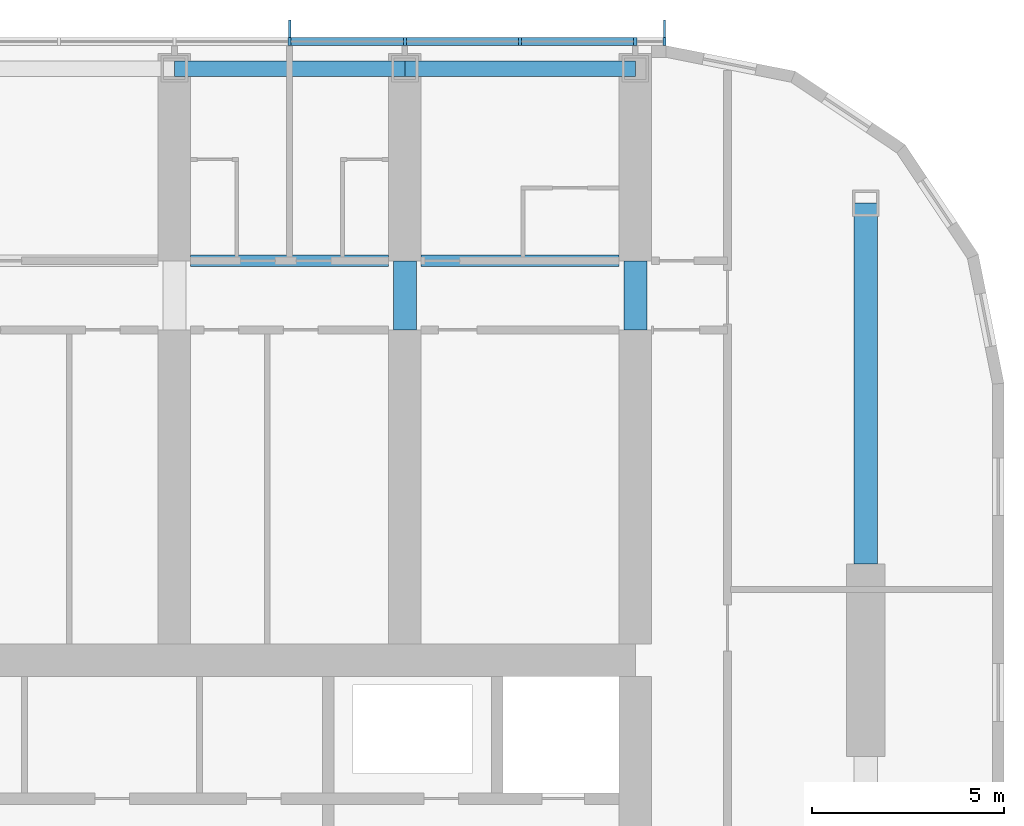
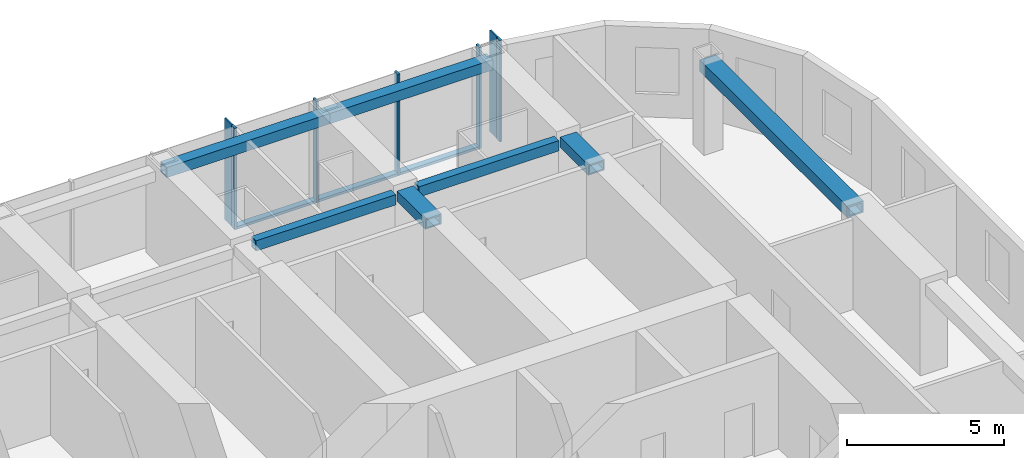
# One storey, part 7 of 28: 10 members, 7 beams, 1 element without a shape of its own.
"""IFC4 building model written with IfcOpenShell, lengths in metres."""

from ifc_helpers import new_model, si_unit, direction, frame, origin, origin_2d, place, context, subcontext, project, spatial, rectangle, hollow_rectangle, extrude, material, material_profile, profile_set, type_object, element, aggregate, save


model = new_model("IFC4")

# Units and contexts
model_context = context("Model", 3, precision=1e-05, world=origin(), true_north=direction((0.0, 1.0)))
body_context = subcontext(model_context, "Body", "Model", "MODEL_VIEW")
ifc_project = project(units=[si_unit("LENGTHUNIT", "METRE"), si_unit("AREAUNIT", "SQUARE_METRE"), si_unit("VOLUMEUNIT", "CUBIC_METRE"), si_unit("PLANEANGLEUNIT", "RADIAN"), si_unit("MASSUNIT", "GRAM", prefix="KILO")], contexts=[model_context])

# Site, building, storey
site_placement = place(None, origin())
site = spatial("IfcSite", under=ifc_project, at=site_placement, CompositionType="ELEMENT")
building_placement = place(site_placement, origin())
building = spatial("IfcBuilding", under=site, at=building_placement, Name="Orbita Commons", CompositionType="ELEMENT")
storey_placement = place(building_placement, frame((0.0, 0.0, 193.60009765625)))
storey = spatial("IfcBuildingStorey", under=building, at=storey_placement, Name="L48", CompositionType="ELEMENT", Elevation=193.60009765625)

# Curtain wall, members
ifc_material_1 = material(Name="Anodised aluminium frame, pale silver", Category="aluminium")
curtain_wall_type = type_object("IfcCurtainWallType", Name="Unitised curtain wall CW-U, full-height vision", PredefinedType="NOTDEFINED", material=ifc_material_1)
curtain_wall_placement = place(storey_placement, origin())
curtain_wall = element("IfcCurtainWall", 1, at=curtain_wall_placement, inside=storey, type_object=curtain_wall_type, Name="Curtain wall north L48", PredefinedType="NOTDEFINED")
ifc_material_2 = material(Name="Anodised aluminium, pale silver", Category="aluminium")
ifc_material_profile_1 = material_profile(ifc_material_2, rectangle(XDim=0.080078125, YDim=0.219970703125, at=origin_2d()), Name="AL 80x220")
ifc_profile_set_1 = profile_set([ifc_material_profile_1], Name="Anodised aluminium, pale silver")
member_type_1 = type_object("IfcMemberType", Name="Curtain wall mullion 80x220", PredefinedType="MULLION", material=ifc_profile_set_1)
member_1_placement = place(storey_placement, frame((66.760009765625, 54.31005859375, -0.4501953125), z_axis=(0.0, 0.0, 1.0), x_axis=(-1.0, 0.0, 0.0)))
member_1 = element("IfcMember", 2, at=member_1_placement, type_object=member_type_1, Name="Mullion 1 CW-L48-N", PredefinedType="MULLION", context=body_context, shape_type="SweptSolid", body=[
    extrude(rectangle(XDim=0.080078125, YDim=0.219970703125, at=origin_2d()), origin(), (0.0, 0.0, 1.0), 3.9501953125),
])
member_2_placement = place(storey_placement, frame((66.0, 54.31005859375, -0.4501953125), z_axis=(0.0, 0.0, 1.0), x_axis=(-1.0, 0.0, 0.0)))
member_2 = element("IfcMember", 3, at=member_2_placement, type_object=member_type_1, Name="Mullion 2 CW-L48-N", PredefinedType="MULLION", context=body_context, shape_type="SweptSolid", body=[
    extrude(rectangle(XDim=0.080078125, YDim=0.219970703125, at=origin_2d()), origin(), (0.0, 0.0, 1.0), 3.9501953125),
])
member_3_placement = place(storey_placement, frame((63.0, 54.31005859375, -0.4501953125), z_axis=(0.0, 0.0, 1.0), x_axis=(-1.0, 0.0, 0.0)))
member_3 = element("IfcMember", 4, at=member_3_placement, type_object=member_type_1, Name="Mullion 3 CW-L48-N", PredefinedType="MULLION", context=body_context, shape_type="SweptSolid", body=[
    extrude(rectangle(XDim=0.080078125, YDim=0.219970703125, at=origin_2d()), origin(), (0.0, 0.0, 1.0), 3.9501953125),
])
member_4_placement = place(storey_placement, frame((60.0, 54.31005859375, -0.4501953125), z_axis=(0.0, 0.0, 1.0), x_axis=(-1.0, 0.0, 0.0)))
member_4 = element("IfcMember", 5, at=member_4_placement, type_object=member_type_1, Name="Mullion 4 CW-L48-N", PredefinedType="MULLION", context=body_context, shape_type="SweptSolid", body=[
    extrude(rectangle(XDim=0.080078125, YDim=0.219970703125, at=origin_2d()), origin(), (0.0, 0.0, 1.0), 3.9501953125),
])
member_5_placement = place(storey_placement, frame((57.0, 54.31005859375, -0.4501953125), z_axis=(0.0, 0.0, 1.0), x_axis=(-1.0, 0.0, 0.0)))
member_5 = element("IfcMember", 6, at=member_5_placement, type_object=member_type_1, Name="Mullion 5 CW-L48-N", PredefinedType="MULLION", context=body_context, shape_type="SweptSolid", body=[
    extrude(rectangle(XDim=0.080078125, YDim=0.219970703125, at=origin_2d()), origin(), (0.0, 0.0, 1.0), 3.9501953125),
])
ifc_material_3 = material(Name="Anodised aluminium, pale silver", Category="aluminium")
ifc_material_profile_2 = material_profile(ifc_material_3, rectangle(XDim=0.219970703125, YDim=0.10009765625, at=origin_2d()), Name="AL 220x100")
ifc_profile_set_2 = profile_set([ifc_material_profile_2], Name="Anodised aluminium, pale silver")
member_type_2 = type_object("IfcMemberType", Name="Curtain wall stack transom 220x100", PredefinedType="USERDEFINED", material=ifc_profile_set_2)
member_6_placement = place(storey_placement, frame((65.9599609375, 54.31005859375, -0.400146484375), z_axis=(-1.0, 0.0, 0.0), x_axis=(0.0, -1.0, 0.0)))
member_6 = element("IfcMember", 7, at=member_6_placement, type_object=member_type_2, Name="Transom 2.1 CW-L48-N", ObjectType="TRANSOM", PredefinedType="USERDEFINED", context=body_context, shape_type="SweptSolid", body=[
    extrude(rectangle(XDim=0.219970703125, YDim=0.10009765625, at=origin_2d()), origin(), (0.0, 0.0, 1.0), 2.919921875),
])
member_7_placement = place(storey_placement, frame((62.9599609375, 54.31005859375, -0.400146484375), z_axis=(-1.0, 0.0, 0.0), x_axis=(0.0, -1.0, 0.0)))
member_7 = element("IfcMember", 8, at=member_7_placement, type_object=member_type_2, Name="Transom 3.1 CW-L48-N", ObjectType="TRANSOM", PredefinedType="USERDEFINED", context=body_context, shape_type="SweptSolid", body=[
    extrude(rectangle(XDim=0.219970703125, YDim=0.10009765625, at=origin_2d()), origin(), (0.0, 0.0, 1.0), 2.919921875),
])
member_8_placement = place(storey_placement, frame((59.9599609375, 54.31005859375, -0.400146484375), z_axis=(-1.0, 0.0, 0.0), x_axis=(0.0, -1.0, 0.0)))
member_8 = element("IfcMember", 9, at=member_8_placement, type_object=member_type_2, Name="Transom 4.1 CW-L48-N", ObjectType="TRANSOM", PredefinedType="USERDEFINED", context=body_context, shape_type="SweptSolid", body=[
    extrude(rectangle(XDim=0.219970703125, YDim=0.10009765625, at=origin_2d()), origin(), (0.0, 0.0, 1.0), 2.919921875),
])

# Beams
ifc_material_4 = material(Name="Steel ASTM A572 Gr 50 welded plate", Category="steel")
ifc_material_profile_3 = material_profile(ifc_material_4, hollow_rectangle(XDim=0.300048828125, YDim=0.39990234375, WallThickness=0.0400390625, at=origin_2d()), Name="BOX 400x300x40")
ifc_profile_set_3 = profile_set([ifc_material_profile_3], Name="Steel ASTM A572 Gr 50 welded plate")
beam_type_1 = type_object("IfcBeamType", Name="Steel corridor link BOX 400x300x40", PredefinedType="BEAM", material=ifc_profile_set_3)
for number, where, z_axis, x_axis, name in (
    (10, (54.425048828125, 48.60009765625, 3.2998046875), (1.0, 0.0, 0.0), (0.0, 1.0, 0.0), "Corridor beam NB 10-11 L48"),
    (11, (60.425048828125, 48.60009765625, 3.2998046875), (1.0, 0.0, 0.0), (0.0, 1.0, 0.0), "Corridor beam NB 11-12 L48"),
):
    element("IfcBeam", number, at=place(storey_placement, frame(where, z_axis=z_axis, x_axis=x_axis)), inside=storey, type_object=beam_type_1, Name=name, PredefinedType="BEAM", context=body_context, shape_type="SweptSolid", body=[
        extrude(hollow_rectangle(XDim=0.300048828125, YDim=0.39990234375, WallThickness=0.0400390625, at=origin_2d()), origin(), (0.0, 0.0, 1.0), 5.14990234375),
    ])
ifc_material_5 = material(Name="Steel ASTM A572 Gr 50 welded plate", Category="steel")
ifc_material_profile_4 = material_profile(ifc_material_5, hollow_rectangle(XDim=0.60009765625, YDim=0.39990234375, WallThickness=0.050048828125, at=origin_2d()), Name="BOX 400x600x50")
ifc_profile_set_4 = profile_set([ifc_material_profile_4], Name="Steel ASTM A572 Gr 50 welded plate")
beam_type_2 = type_object("IfcBeamType", Name="Steel coupling link BOX 400x600x50", PredefinedType="LINTEL", material=ifc_profile_set_4)
for number, where, z_axis, x_axis, name in (
    (12, (60.0, 46.800048828125, 3.2998046875), (0.0, 1.0, 0.0), (-1.0, 0.0, 0.0), "Coupling beam 11 north L48"),
    (13, (66.0, 46.800048828125, 3.2998046875), (0.0, 1.0, 0.0), (-1.0, 0.0, 0.0), "Coupling beam 12 north L48"),
):
    element("IfcBeam", number, at=place(storey_placement, frame(where, z_axis=z_axis, x_axis=x_axis)), inside=storey, type_object=beam_type_2, Name=name, PredefinedType="LINTEL", context=body_context, shape_type="SweptSolid", body=[
        extrude(hollow_rectangle(XDim=0.60009765625, YDim=0.39990234375, WallThickness=0.050048828125, at=origin_2d()), origin(), (0.0, 0.0, 1.0), 1.800048828125),
    ])
ifc_material_6 = material(Name="Steel ASTM A572 Gr 50 welded plate", Category="steel")
ifc_material_profile_5 = material_profile(ifc_material_6, hollow_rectangle(XDim=0.60009765625, YDim=0.449951171875, WallThickness=0.06005859375, at=origin_2d()), Name="BOX 450x600x60")
ifc_profile_set_5 = profile_set([ifc_material_profile_5], Name="Steel ASTM A572 Gr 50 welded plate")
beam_type_3 = type_object("IfcBeamType", Name="Steel end frame link BOX 450x600x60", PredefinedType="BEAM", material=ifc_profile_set_5)
beam_placement = place(storey_placement, frame((72.0, 40.699951171875, 3.27490234375), z_axis=(0.0, 1.0, 0.0), x_axis=(-1.0, 0.0, 0.0)))
element("IfcBeam", 14, at=beam_placement, inside=storey, type_object=beam_type_3, Name="End frame beam 13 D-E L48", PredefinedType="BEAM", context=body_context, shape_type="SweptSolid", body=[
    extrude(hollow_rectangle(XDim=0.60009765625, YDim=0.449951171875, WallThickness=0.06005859375, at=origin_2d()), origin(), (0.0, 0.0, 1.0), 9.400146484375),
])
ifc_material_7 = material(Name="Steel ASTM A572 Gr 50 welded plate", Category="steel")
ifc_material_profile_6 = material_profile(ifc_material_7, hollow_rectangle(XDim=0.39990234375, YDim=0.39990234375, WallThickness=0.0400390625, at=origin_2d()), Name="BOX 400x400x40")
ifc_profile_set_6 = profile_set([ifc_material_profile_6], Name="Steel ASTM A572 Gr 50 welded plate")
beam_type_4 = type_object("IfcBeamType", Name="Steel spandrel BOX 400x400x40", PredefinedType="SPANDREL", material=ifc_profile_set_6)
for number, where, z_axis, x_axis, name in (
    (15, (54.0, 53.60009765625, 3.2998046875), (1.0, 0.0, 0.0), (0.0, 1.0, 0.0), "Spandrel beam E 10-11 L48"),
    (16, (60.0, 53.60009765625, 3.2998046875), (1.0, 0.0, 0.0), (0.0, 1.0, 0.0), "Spandrel beam E 11-12 L48"),
):
    element("IfcBeam", number, at=place(storey_placement, frame(where, z_axis=z_axis, x_axis=x_axis)), inside=storey, type_object=beam_type_4, Name=name, PredefinedType="SPANDREL", context=body_context, shape_type="SweptSolid", body=[
        extrude(hollow_rectangle(XDim=0.39990234375, YDim=0.39990234375, WallThickness=0.0400390625, at=origin_2d()), origin(), (0.0, 0.0, 1.0), 6.0),
    ])

# Member
ifc_material_8 = material(Name="Anodised aluminium, pale silver", Category="aluminium")
ifc_material_profile_7 = material_profile(ifc_material_8, rectangle(XDim=0.06005859375, YDim=0.449951171875, at=origin_2d()), Name="FIN 60x450")
ifc_profile_set_7 = profile_set([ifc_material_profile_7], Name="Anodised aluminium, pale silver")
member_type_3 = type_object("IfcMemberType", Name="Vertical fin 60x450 pale aluminium", PredefinedType="USERDEFINED", material=ifc_profile_set_7)
member_9_placement = place(storey_placement, frame((66.760009765625, 54.64501953125, -0.4501953125), z_axis=(0.0, 0.0, 1.0), x_axis=(-1.0, 0.0, 0.0)))
member_9 = element("IfcMember", 17, at=member_9_placement, type_object=member_type_3, Name="Fin 1 CW-L48-N", ObjectType="FIN", PredefinedType="USERDEFINED", context=body_context, shape_type="SweptSolid", body=[
    extrude(rectangle(XDim=0.06005859375, YDim=0.449951171875, at=origin_2d()), origin(), (0.0, 0.0, 1.0), 3.9501953125),
])

member_10_placement = place(storey_placement, frame((57.0, 54.64501953125, -0.4501953125), z_axis=(0.0, 0.0, 1.0), x_axis=(-1.0, 0.0, 0.0)))
member_10 = element("IfcMember", 18, at=member_10_placement, type_object=member_type_3, Name="Fin 5 CW-L48-N", ObjectType="FIN", PredefinedType="USERDEFINED", context=body_context, shape_type="SweptSolid", body=[
    extrude(rectangle(XDim=0.06005859375, YDim=0.449951171875, at=origin_2d()), origin(), (0.0, 0.0, 1.0), 3.9501953125),
])

aggregate(curtain_wall, [member_1, member_9, member_2, member_3, member_4, member_5, member_10, member_6, member_7, member_8])

save(model, "model.ifc")
